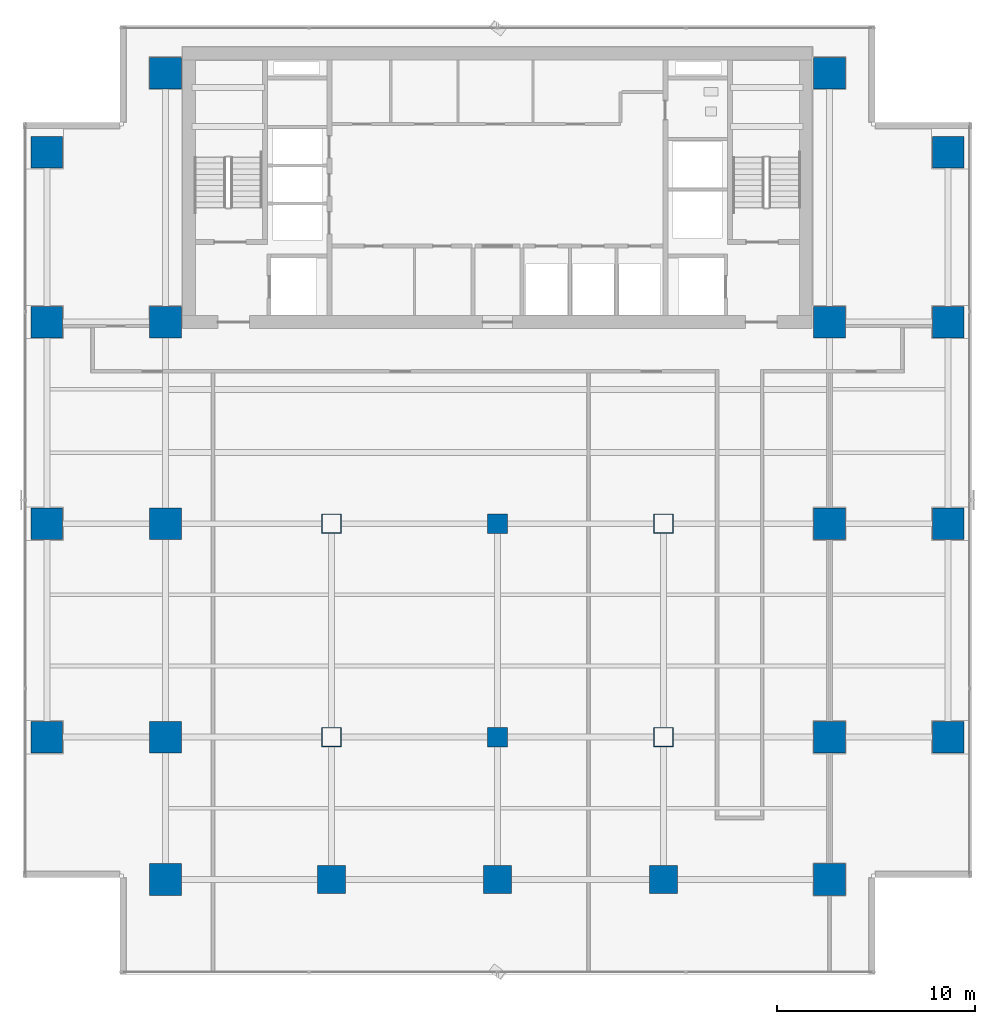
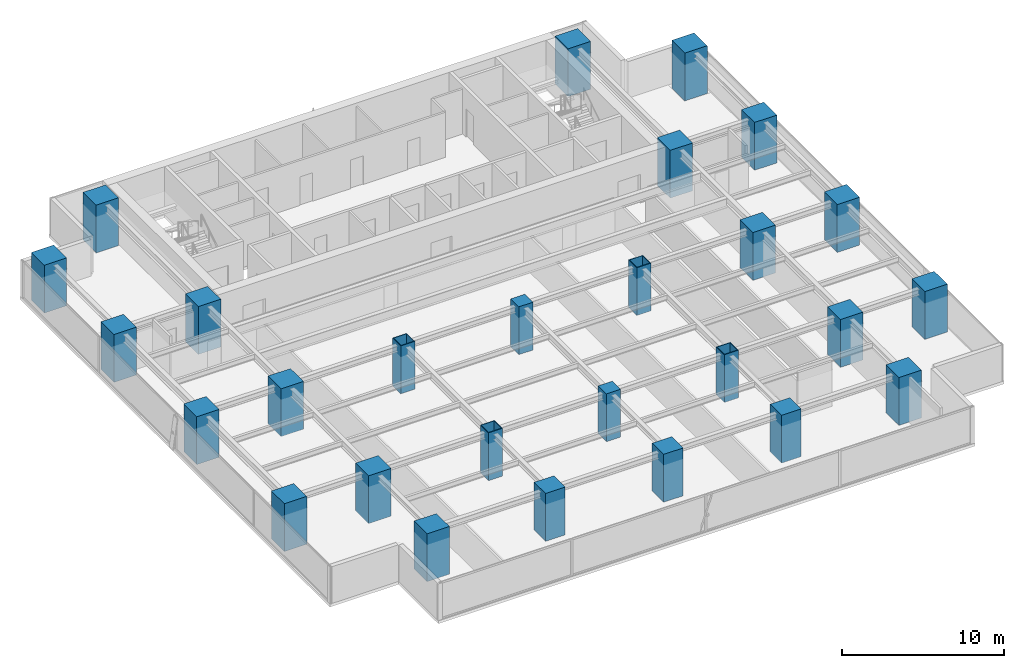
# One storey, part 1 of 27: 27 columns.
"""IFC4 building model written with IfcOpenShell, lengths in metres."""

from ifc_helpers import new_model, si_unit, direction, frame, origin, origin_2d, place, context, subcontext, project, spatial, rectangle, hollow_rectangle, extrude, source, transform, mapped, material, material_profile, profile_set, type_object, element, save


model = new_model("IFC4")

# Units and contexts
model_context = context("Model", 3, precision=1e-05, world=origin(), true_north=direction((0.0, 1.0)))
body_context = subcontext(model_context, "Body", "Model", "MODEL_VIEW")
ifc_project = project(units=[si_unit("LENGTHUNIT", "METRE"), si_unit("AREAUNIT", "SQUARE_METRE"), si_unit("VOLUMEUNIT", "CUBIC_METRE"), si_unit("PLANEANGLEUNIT", "RADIAN"), si_unit("MASSUNIT", "GRAM", prefix="KILO")], contexts=[model_context])

# Site, building, storey
site_placement = place(None, origin())
site = spatial("IfcSite", under=ifc_project, at=site_placement, CompositionType="ELEMENT")
building_placement = place(site_placement, origin())
building = spatial("IfcBuilding", under=site, at=building_placement, Name="Sumidabori Civic Tower", CompositionType="ELEMENT")
storey_placement = place(building_placement, frame((0.0, 0.0, 164.0)))
storey = spatial("IfcBuildingStorey", under=building, at=storey_placement, Name="L42", CompositionType="ELEMENT", Elevation=164.0)

# Columns
ifc_material_1 = material(Name="Concrete C60/75", Category="concrete")
ifc_material_profile_1 = material_profile(ifc_material_1, rectangle(XDim=1.60009765625, YDim=1.60009765625, at=origin_2d()), Name="RC 1600x1600")
ifc_profile_set_1 = profile_set([ifc_material_profile_1], Name="Concrete C60/75")
column_type_1 = type_object("IfcColumnType", Name="CL-MEGA-1600", PredefinedType="COLUMN", material=ifc_profile_set_1)
shared_shape_1 = source(origin(), body_context, "Body", "SweptSolid", [
    extrude(rectangle(XDim=1.60009765625, YDim=1.60009765625, at=origin_2d()), origin(), (0.0, 0.0, 1.0), 3.60009765625),
])
for number, where, z_axis, x_axis, name in (
    (1, (-16.800048828125, -18.0, 0.0), (0.0, 0.0, 1.0), (1.0, 0.0, 0.0), "Column MC-W16-Y18S L42"),
    (2, (-16.800048828125, -10.800048828125, 0.0), (0.0, 0.0, 1.0), (1.0, 0.0, 0.0), "Column MC-W16-Y11S L42"),
    (3, (-16.800048828125, 0.0, 0.0), (0.0, 0.0, 1.0), (1.0, 0.0, 0.0), "Column MC-W16-Y00 L42"),
    (4, (-16.800048828125, 10.199951171875, 0.0), (0.0, 0.0, 1.0), (1.0, 0.0, 0.0), "Column MC-W16-Y10N L42"),
    (5, (-16.800048828125, 22.800048828125, 0.0), (0.0, 0.0, 1.0), (1.0, 0.0, 0.0), "Column MC-W16-Y23N L42"),
    (6, (16.800048828125, -18.0, 0.0), (0.0, 0.0, 1.0), (1.0, 0.0, 0.0), "Column MC-E16-Y18S L42"),
    (7, (16.800048828125, -10.800048828125, 0.0), (0.0, 0.0, 1.0), (1.0, 0.0, 0.0), "Column MC-E16-Y11S L42"),
    (8, (16.800048828125, 0.0, 0.0), (0.0, 0.0, 1.0), (1.0, 0.0, 0.0), "Column MC-E16-Y00 L42"),
    (9, (16.800048828125, 10.199951171875, 0.0), (0.0, 0.0, 1.0), (1.0, 0.0, 0.0), "Column MC-E16-Y10N L42"),
    (10, (16.800048828125, 22.800048828125, 0.0), (0.0, 0.0, 1.0), (1.0, 0.0, 0.0), "Column MC-E16-Y23N L42"),
    (11, (-22.800048828125, -10.800048828125, 0.0), (0.0, 0.0, 1.0), (1.0, 0.0, 0.0), "Column MC-W23-Y11S L42"),
    (12, (-22.800048828125, 0.0, 0.0), (0.0, 0.0, 1.0), (1.0, 0.0, 0.0), "Column MC-W23-Y00 L42"),
    (13, (-22.800048828125, 10.199951171875, 0.0), (0.0, 0.0, 1.0), (1.0, 0.0, 0.0), "Column MC-W23-Y10N L42"),
    (14, (-22.800048828125, 18.800048828125, 0.0), (0.0, 0.0, 1.0), (1.0, 0.0, 0.0), "Column MC-W23-Y19N L42"),
    (15, (22.800048828125, -10.800048828125, 0.0), (0.0, 0.0, 1.0), (1.0, 0.0, 0.0), "Column MC-E23-Y11S L42"),
    (16, (22.800048828125, 0.0, 0.0), (0.0, 0.0, 1.0), (1.0, 0.0, 0.0), "Column MC-E23-Y00 L42"),
    (17, (22.800048828125, 10.199951171875, 0.0), (0.0, 0.0, 1.0), (1.0, 0.0, 0.0), "Column MC-E23-Y10N L42"),
    (18, (22.800048828125, 18.800048828125, 0.0), (0.0, 0.0, 1.0), (1.0, 0.0, 0.0), "Column MC-E23-Y19N L42"),
):
    element("IfcColumn", number, at=place(storey_placement, frame(where, z_axis=z_axis, x_axis=x_axis)), inside=storey, type_object=column_type_1, Name=name, PredefinedType="COLUMN", context=body_context, shape_type="MappedRepresentation", body=[
        mapped(shared_shape_1, transform((0.0, 0.0, 0.0), x_axis=(1.0, 0.0, 0.0), y_axis=(0.0, 1.0, 0.0), z_axis=(0.0, 0.0, 1.0), scale=1.0)),
    ])
ifc_material_2 = material(Name="Steel SM570", Category="steel")
ifc_material_profile_2 = material_profile(ifc_material_2, hollow_rectangle(XDim=1.0, YDim=1.0, WallThickness=0.044921875, at=origin_2d()), Name="SHS 1000x1000x45")
ifc_profile_set_2 = profile_set([ifc_material_profile_2], Name="Steel SM570")
column_type_2 = type_object("IfcColumnType", Name="CL-PORTAL-SHS1000", PredefinedType="COLUMN", material=ifc_profile_set_2)
shared_shape_2 = source(origin(), body_context, "Body", "SweptSolid", [
    extrude(hollow_rectangle(XDim=1.0, YDim=1.0, WallThickness=0.044921875, at=origin_2d()), origin(), (0.0, 0.0, 1.0), 3.60009765625),
])
for number, where, z_axis, x_axis, name in (
    (19, (-8.39990234375, 0.0, 0.0), (0.0, 0.0, 1.0), (1.0, 0.0, 0.0), "Column MC-W08-Y00 L42"),
    (20, (-8.39990234375, -10.800048828125, 0.0), (0.0, 0.0, 1.0), (1.0, 0.0, 0.0), "Column MC-W08-Y11S L42"),
    (21, (8.39990234375, 0.0, 0.0), (0.0, 0.0, 1.0), (1.0, 0.0, 0.0), "Column MC-E08-Y00 L42"),
    (22, (8.39990234375, -10.800048828125, 0.0), (0.0, 0.0, 1.0), (1.0, 0.0, 0.0), "Column MC-E08-Y11S L42"),
):
    element("IfcColumn", number, at=place(storey_placement, frame(where, z_axis=z_axis, x_axis=x_axis)), inside=storey, type_object=column_type_2, Name=name, PredefinedType="COLUMN", context=body_context, shape_type="MappedRepresentation", body=[
        mapped(shared_shape_2, transform((0.0, 0.0, 0.0), x_axis=(1.0, 0.0, 0.0), y_axis=(0.0, 1.0, 0.0), z_axis=(0.0, 0.0, 1.0), scale=1.0)),
    ])
ifc_material_profile_3 = material_profile(ifc_material_1, rectangle(XDim=1.39990234375, YDim=1.39990234375, at=origin_2d()), Name="RC 1400x1400")
ifc_profile_set_3 = profile_set([ifc_material_profile_3], Name="Concrete C60/75")
column_type_3 = type_object("IfcColumnType", Name="CL-MEGA-1400", PredefinedType="COLUMN", material=ifc_profile_set_3)
shared_shape_3 = source(origin(), body_context, "Body", "SweptSolid", [
    extrude(rectangle(XDim=1.39990234375, YDim=1.39990234375, at=origin_2d()), origin(), (0.0, 0.0, 1.0), 3.60009765625),
])
for number, where, z_axis, x_axis, name in (
    (23, (-8.39990234375, -18.0, 0.0), (0.0, 0.0, 1.0), (1.0, 0.0, 0.0), "Column MC-W08-Y18S L42"),
    (24, (8.39990234375, -18.0, 0.0), (0.0, 0.0, 1.0), (1.0, 0.0, 0.0), "Column MC-E08-Y18S L42"),
    (25, (0.0, -18.0, 0.0), (0.0, 0.0, 1.0), (1.0, 0.0, 0.0), "Column MC-C00-Y18S L42"),
):
    element("IfcColumn", number, at=place(storey_placement, frame(where, z_axis=z_axis, x_axis=x_axis)), inside=storey, type_object=column_type_3, Name=name, PredefinedType="COLUMN", context=body_context, shape_type="MappedRepresentation", body=[
        mapped(shared_shape_3, transform((0.0, 0.0, 0.0), x_axis=(1.0, 0.0, 0.0), y_axis=(0.0, 1.0, 0.0), z_axis=(0.0, 0.0, 1.0), scale=1.0)),
    ])
ifc_material_3 = material(Name="Concrete C50/60", Category="concrete")
ifc_material_profile_4 = material_profile(ifc_material_3, rectangle(XDim=1.0, YDim=1.0, at=origin_2d()), Name="RC 1000x1000")
ifc_profile_set_4 = profile_set([ifc_material_profile_4], Name="Concrete C50/60")
column_type_4 = type_object("IfcColumnType", Name="CL-INT-1000", PredefinedType="COLUMN", material=ifc_profile_set_4)
shared_shape_4 = source(origin(), body_context, "Body", "SweptSolid", [
    extrude(rectangle(XDim=1.0, YDim=1.0, at=origin_2d()), origin(), (0.0, 0.0, 1.0), 3.60009765625),
])
for number, where, z_axis, x_axis, name in (
    (26, (0.0, -10.800048828125, 0.0), (0.0, 0.0, 1.0), (1.0, 0.0, 0.0), "Column MC-C00-Y11S L42"),
    (27, (0.0, 0.0, 0.0), (0.0, 0.0, 1.0), (1.0, 0.0, 0.0), "Column MC-C00-Y00 L42"),
):
    element("IfcColumn", number, at=place(storey_placement, frame(where, z_axis=z_axis, x_axis=x_axis)), inside=storey, type_object=column_type_4, Name=name, PredefinedType="COLUMN", context=body_context, shape_type="MappedRepresentation", body=[
        mapped(shared_shape_4, transform((0.0, 0.0, 0.0), x_axis=(1.0, 0.0, 0.0), y_axis=(0.0, 1.0, 0.0), z_axis=(0.0, 0.0, 1.0), scale=1.0)),
    ])

save(model, "model.ifc")
